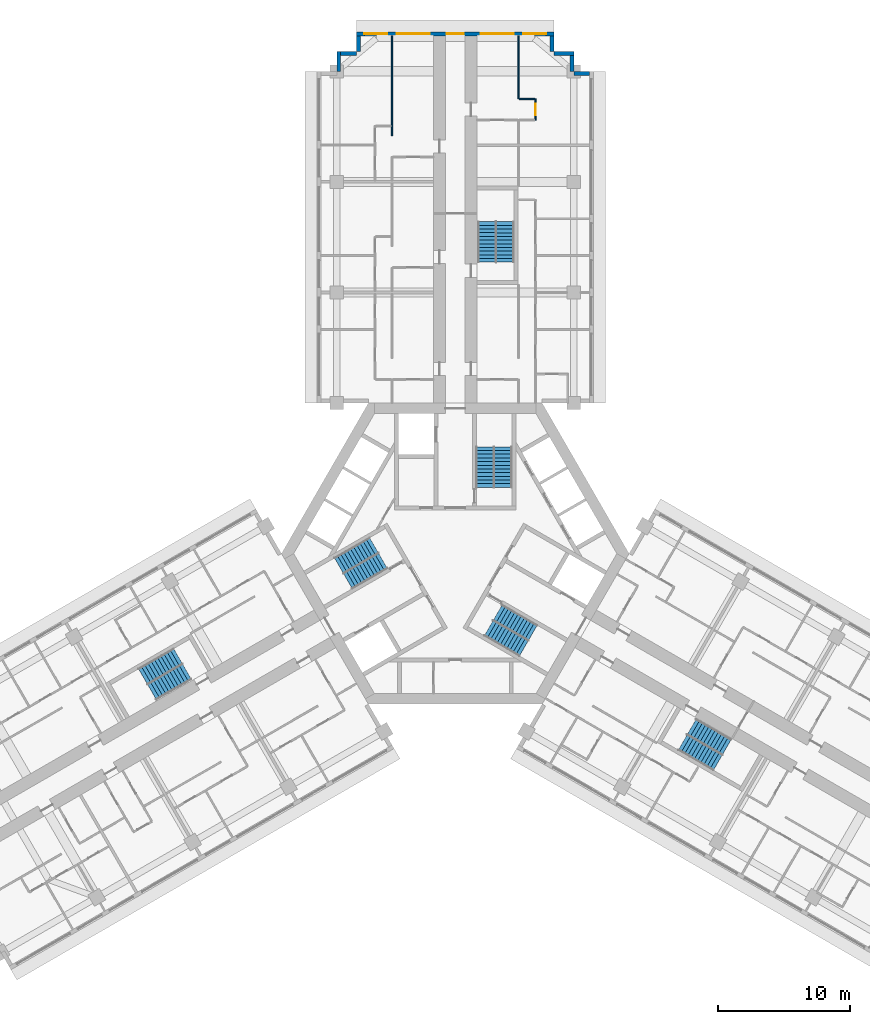
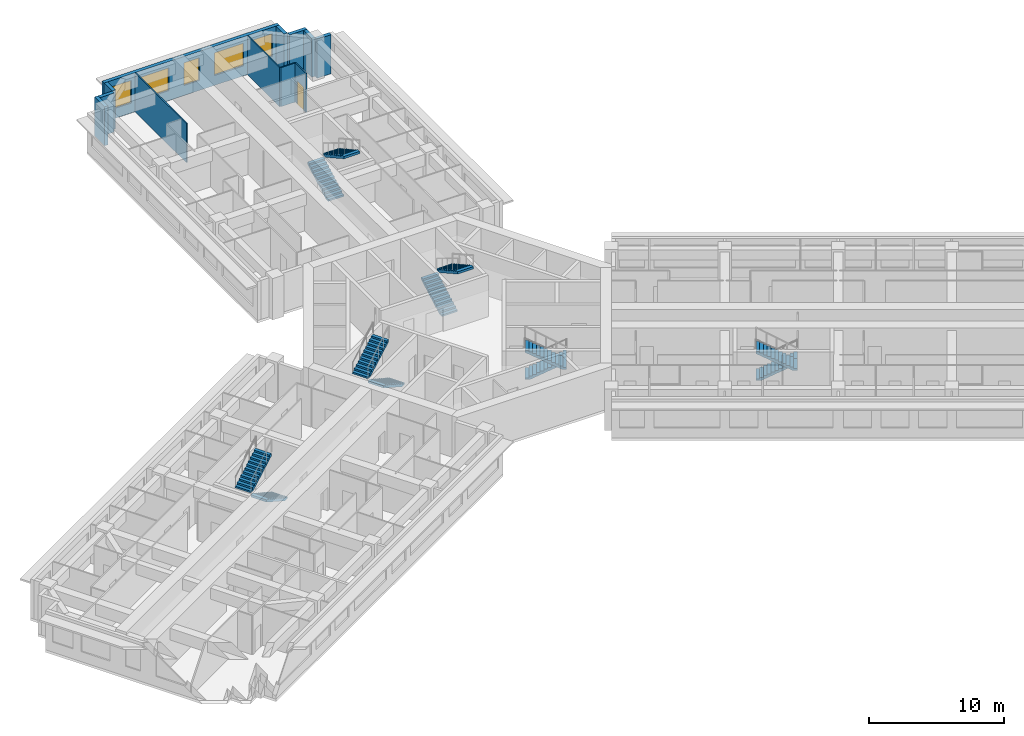
# One storey, part 13 of 14: 12 stair flights, 12 walls, 5 windows, 1 door, 6 openings, 6 elements without a shape of their own.
"""IFC4 building model written with IfcOpenShell, lengths in metres."""

from ifc_helpers import new_model, si_unit, direction, frame, frame_2d, origin, place, context, subcontext, project, spatial, polyline, rectangle, outline, extrude, material, layer, layer_set, type_object, element, fill, aggregate, save


model = new_model("IFC4")

# Units and contexts
model_context = context("Model", 3, precision=1e-05, world=origin(), true_north=direction((0.0, 1.0)))
body_context = subcontext(model_context, "Body", "Model", "MODEL_VIEW")
ifc_project = project(units=[si_unit("LENGTHUNIT", "METRE"), si_unit("AREAUNIT", "SQUARE_METRE"), si_unit("VOLUMEUNIT", "CUBIC_METRE"), si_unit("PLANEANGLEUNIT", "RADIAN"), si_unit("MASSUNIT", "GRAM", prefix="KILO")], contexts=[model_context])

# Site, building, storey
site_placement = place(None, origin())
site = spatial("IfcSite", under=ifc_project, at=site_placement, CompositionType="ELEMENT")
building_placement = place(site_placement, origin())
building = spatial("IfcBuilding", under=site, at=building_placement, Name="Impinga Residences", CompositionType="ELEMENT")
storey_placement = place(building_placement, frame((0.0, 0.0, 128.5)))
storey = spatial("IfcBuildingStorey", under=building, at=storey_placement, Name="L31", CompositionType="ELEMENT", Elevation=128.5)

# Walls
ifc_material_1 = material(Name="Terracotta rainscreen on blockwork", Category="masonry")
ifc_layer_1 = layer(ifc_material_1, 0.300048828125)
ifc_layer_set_1 = layer_set([ifc_layer_1], Name="EW1 external wall, terracotta rainscreen on blockwork 300")
wall_type_1 = type_object("IfcWallType", Name="EW1 external wall, terracotta rainscreen on blockwork 300", PredefinedType="SOLIDWALL", material=ifc_layer_set_1)
wall_1_placement = place(storey_placement, frame((-8.85009765625, 36.636474609375, 0.0), z_axis=(0.0, 0.0, 1.0), x_axis=(0.0, 1.0, 0.0)))
element("IfcWall", 1, at=wall_1_placement, inside=storey, type_object=wall_type_1, Name="External wall EW1 L31", PredefinedType="SOLIDWALL", context=body_context, shape_type="SweptSolid", body=[
    extrude(rectangle(XDim=1.4951171875, YDim=0.300048828125, at=frame_2d((0.74755859375, 0.0))), origin(), (0.0, 0.0, 1.0), 3.530029296875),
])
wall_2_placement = place(storey_placement, frame((-8.699951171875, 37.9814453125, 0.0), z_axis=(0.0, 0.0, 1.0), x_axis=(1.0, 0.0, 0.0)))
element("IfcWall", 2, at=wall_2_placement, inside=storey, type_object=wall_type_1, Name="External wall EW1 L31", PredefinedType="SOLIDWALL", context=body_context, shape_type="SweptSolid", body=[
    extrude(rectangle(XDim=1.199951171875, YDim=0.300048828125, at=frame_2d((0.60009765625, 0.0))), origin(), (0.0, 0.0, 1.0), 3.530029296875),
])
wall_3_placement = place(storey_placement, frame((-7.35009765625, 38.136474609375, 0.0), z_axis=(0.0, 0.0, 1.0), x_axis=(0.0, 1.0, 0.0)))
element("IfcWall", 3, at=wall_3_placement, inside=storey, type_object=wall_type_1, Name="External wall EW1 L31", PredefinedType="SOLIDWALL", context=body_context, shape_type="SweptSolid", body=[
    extrude(rectangle(XDim=1.195068359375, YDim=0.300048828125, at=frame_2d((0.59765625, 0.0))), origin(), (0.0, 0.0, 1.0), 3.530029296875),
])

# Wall, openings, windows
wall_4_placement = place(storey_placement, frame((-7.5, 39.4814453125, 0.0), z_axis=(0.0, 0.0, 1.0), x_axis=(1.0, 0.0, 0.0)))
wall_4 = element("IfcWall", 4, at=wall_4_placement, inside=storey, type_object=wall_type_1, Name="External wall EW1 L31", PredefinedType="SOLIDWALL", context=body_context, shape_type="SweptSolid", body=[
    extrude(rectangle(XDim=15.0, YDim=0.300048828125, at=frame_2d((7.5, 0.0))), origin(), (0.0, 0.0, 1.0), 3.530029296875),
])
opening_1_placement = place(wall_4_placement, frame((0.60009765625, 0.0, 0.89990234375)))
opening_1 = element("IfcOpeningElement", 5, at=opening_1_placement, cuts=wall_4, Name="Opening W1", PredefinedType="OPENING", context=body_context, shape_type="SweptSolid", body=[
    extrude(rectangle(XDim=1.75, YDim=2.050048828125, at=frame_2d((0.875, 1.02490234375))), frame((0.0, 0.159912109375, 0.0), z_axis=(0.0, -1.0, 0.0), x_axis=(1.0, 0.0, 0.0)), (0.0, 0.0, 1.0), 0.320068359375),
])
opening_2_placement = place(wall_4_placement, frame((3.050048828125, 0.0, 0.89990234375)))
opening_2 = element("IfcOpeningElement", 6, at=opening_2_placement, cuts=wall_4, Name="Opening W2", PredefinedType="OPENING", context=body_context, shape_type="SweptSolid", body=[
    extrude(rectangle(XDim=2.5, YDim=2.050048828125, at=frame_2d((1.25, 1.02490234375))), frame((0.0, 0.159912109375, 0.0), z_axis=(0.0, -1.0, 0.0), x_axis=(1.0, 0.0, 0.0)), (0.0, 0.0, 1.0), 0.320068359375),
])
opening_3_placement = place(wall_4_placement, frame((6.85009765625, 0.0, 0.89990234375)))
opening_3 = element("IfcOpeningElement", 7, at=opening_3_placement, cuts=wall_4, Name="Opening W17", PredefinedType="OPENING", context=body_context, shape_type="SweptSolid", body=[
    extrude(rectangle(XDim=1.300048828125, YDim=2.050048828125, at=frame_2d((0.64990234375, 1.02490234375))), frame((0.0, 0.159912109375, 0.0), z_axis=(0.0, -1.0, 0.0), x_axis=(1.0, 0.0, 0.0)), (0.0, 0.0, 1.0), 0.320068359375),
])
opening_4_placement = place(wall_4_placement, frame((9.449951171875, 0.0, 0.89990234375)))
opening_4 = element("IfcOpeningElement", 8, at=opening_4_placement, cuts=wall_4, Name="Opening W2", PredefinedType="OPENING", context=body_context, shape_type="SweptSolid", body=[
    extrude(rectangle(XDim=2.5, YDim=2.050048828125, at=frame_2d((1.25, 1.02490234375))), frame((0.0, 0.159912109375, 0.0), z_axis=(0.0, -1.0, 0.0), x_axis=(1.0, 0.0, 0.0)), (0.0, 0.0, 1.0), 0.320068359375),
])
opening_5_placement = place(wall_4_placement, frame((12.64990234375, 0.0, 0.89990234375)))
opening_5 = element("IfcOpeningElement", 9, at=opening_5_placement, cuts=wall_4, Name="Opening W1", PredefinedType="OPENING", context=body_context, shape_type="SweptSolid", body=[
    extrude(rectangle(XDim=1.75, YDim=2.050048828125, at=frame_2d((0.875, 1.02490234375))), frame((0.0, 0.159912109375, 0.0), z_axis=(0.0, -1.0, 0.0), x_axis=(1.0, 0.0, 0.0)), (0.0, 0.0, 1.0), 0.320068359375),
])
ifc_material_2 = material(Name="Aluminium window, clear double glazing", Category="aluminium")
window_type_1 = type_object("IfcWindowType", Name="W1 ribbon window 1750x2050", PartitioningType="SINGLE_PANEL", PredefinedType="WINDOW", material=ifc_material_2)
window_1_placement = place(opening_1_placement, origin())
window_1 = element("IfcWindow", 10, at=window_1_placement, inside=storey, type_object=window_type_1, Name="Window L31", OverallHeight=2.050048828125, OverallWidth=1.75, PartitioningType="SINGLE_PANEL", PredefinedType="WINDOW", context=body_context, shape_type="SweptSolid", body=[
    extrude(rectangle(XDim=1.75, YDim=2.050048828125, at=frame_2d((0.875, 1.02490234375))), frame((0.0, 0.030029296875, 0.0), z_axis=(0.0, -1.0, 0.0), x_axis=(1.0, 0.0, 0.0)), (0.0, 0.0, 1.0), 0.06005859375),
])
fill(opening_1, window_1)
window_2_placement = place(opening_5_placement, origin())
window_2 = element("IfcWindow", 11, at=window_2_placement, inside=storey, type_object=window_type_1, Name="Window L31", OverallHeight=2.050048828125, OverallWidth=1.75, PartitioningType="SINGLE_PANEL", PredefinedType="WINDOW", context=body_context, shape_type="SweptSolid", body=[
    extrude(rectangle(XDim=1.75, YDim=2.050048828125, at=frame_2d((0.875, 1.02490234375))), frame((0.0, 0.030029296875, 0.0), z_axis=(0.0, -1.0, 0.0), x_axis=(1.0, 0.0, 0.0)), (0.0, 0.0, 1.0), 0.06005859375),
])
fill(opening_5, window_2)
window_type_2 = type_object("IfcWindowType", Name="W17 ribbon window 1300x2050", PartitioningType="SINGLE_PANEL", PredefinedType="WINDOW", material=ifc_material_2)
window_3_placement = place(opening_3_placement, origin())
window_3 = element("IfcWindow", 12, at=window_3_placement, inside=storey, type_object=window_type_2, Name="Window L31", OverallHeight=2.050048828125, OverallWidth=1.300048828125, PartitioningType="SINGLE_PANEL", PredefinedType="WINDOW", context=body_context, shape_type="SweptSolid", body=[
    extrude(rectangle(XDim=1.300048828125, YDim=2.050048828125, at=frame_2d((0.64990234375, 1.02490234375))), frame((0.0, 0.030029296875, 0.0), z_axis=(0.0, -1.0, 0.0), x_axis=(1.0, 0.0, 0.0)), (0.0, 0.0, 1.0), 0.06005859375),
])
fill(opening_3, window_3)
window_type_3 = type_object("IfcWindowType", Name="W2 ribbon window 2500x2050", PartitioningType="SINGLE_PANEL", PredefinedType="WINDOW", material=ifc_material_2)
window_4_placement = place(opening_2_placement, origin())
window_4 = element("IfcWindow", 13, at=window_4_placement, inside=storey, type_object=window_type_3, Name="Window L31", OverallHeight=2.050048828125, OverallWidth=2.5, PartitioningType="SINGLE_PANEL", PredefinedType="WINDOW", context=body_context, shape_type="SweptSolid", body=[
    extrude(rectangle(XDim=2.5, YDim=2.050048828125, at=frame_2d((1.25, 1.02490234375))), frame((0.0, 0.030029296875, 0.0), z_axis=(0.0, -1.0, 0.0), x_axis=(1.0, 0.0, 0.0)), (0.0, 0.0, 1.0), 0.06005859375),
])
fill(opening_2, window_4)
window_5_placement = place(opening_4_placement, origin())
window_5 = element("IfcWindow", 14, at=window_5_placement, inside=storey, type_object=window_type_3, Name="Window L31", OverallHeight=2.050048828125, OverallWidth=2.5, PartitioningType="SINGLE_PANEL", PredefinedType="WINDOW", context=body_context, shape_type="SweptSolid", body=[
    extrude(rectangle(XDim=2.5, YDim=2.050048828125, at=frame_2d((1.25, 1.02490234375))), frame((0.0, 0.030029296875, 0.0), z_axis=(0.0, -1.0, 0.0), x_axis=(1.0, 0.0, 0.0)), (0.0, 0.0, 1.0), 0.06005859375),
])
fill(opening_4, window_5)

# Walls
wall_5_placement = place(storey_placement, frame((7.35009765625, 39.33154296875, 0.0), z_axis=(0.0, 0.0, 1.0), x_axis=(0.0, -1.0, 0.0)))
element("IfcWall", 15, at=wall_5_placement, inside=storey, type_object=wall_type_1, Name="External wall EW1 L31", PredefinedType="SOLIDWALL", context=body_context, shape_type="SweptSolid", body=[
    extrude(rectangle(XDim=1.195068359375, YDim=0.300048828125, at=frame_2d((0.59765625, 0.0))), origin(), (0.0, 0.0, 1.0), 3.530029296875),
])
wall_6_placement = place(storey_placement, frame((7.5, 37.9814453125, 0.0), z_axis=(0.0, 0.0, 1.0), x_axis=(1.0, 0.0, 0.0)))
element("IfcWall", 16, at=wall_6_placement, inside=storey, type_object=wall_type_1, Name="External wall EW1 L31", PredefinedType="SOLIDWALL", context=body_context, shape_type="SweptSolid", body=[
    extrude(rectangle(XDim=1.5, YDim=0.300048828125, at=frame_2d((0.75, 0.0))), origin(), (0.0, 0.0, 1.0), 3.530029296875),
])
wall_7_placement = place(storey_placement, frame((8.85009765625, 37.83154296875, 0.0), z_axis=(0.0, 0.0, 1.0), x_axis=(0.0, -1.0, 0.0)))
element("IfcWall", 17, at=wall_7_placement, inside=storey, type_object=wall_type_1, Name="External wall EW1 L31", PredefinedType="SOLIDWALL", context=body_context, shape_type="SweptSolid", body=[
    extrude(rectangle(XDim=1.199951171875, YDim=0.300048828125, at=frame_2d((0.60009765625, 0.0))), origin(), (0.0, 0.0, 1.0), 3.530029296875),
])
wall_8_placement = place(storey_placement, frame((9.0048828125, 36.4814453125, 0.0), z_axis=(0.0, 0.0, 1.0), x_axis=(1.0, 0.0, 0.0)))
element("IfcWall", 18, at=wall_8_placement, inside=storey, type_object=wall_type_1, Name="External wall EW1 L31", PredefinedType="SOLIDWALL", context=body_context, shape_type="SweptSolid", body=[
    extrude(rectangle(XDim=1.195068359375, YDim=0.300048828125, at=frame_2d((0.59765625, 0.0))), origin(), (0.0, 0.0, 1.0), 3.530029296875),
])
ifc_material_3 = material(Name="Gypsum board on steel studs", Category="steel")
ifc_layer_2 = layer(ifc_material_3, 0.10009765625)
ifc_layer_set_2 = layer_set([ifc_layer_2], Name="Gypsum board on steel studs")
wall_type_2 = type_object("IfcWallType", Name="IP1 partition 100", PredefinedType="PARTITIONING", material=ifc_layer_set_2)
wall_9_placement = place(storey_placement, frame((-4.800048828125, 31.7314453125, 0.0), z_axis=(0.0, 0.0, 1.0), x_axis=(0.0, 1.0, 0.0)))
element("IfcWall", 19, at=wall_9_placement, inside=storey, type_object=wall_type_2, Name="Partition L31-NA3:DIV1", PredefinedType="PARTITIONING", context=body_context, shape_type="SweptSolid", body=[
    extrude(rectangle(XDim=7.60009765625, YDim=0.10009765625, at=frame_2d((3.800048828125, 0.0))), origin(), (0.0, 0.0, 1.0), 3.530029296875),
])
wall_10_placement = place(storey_placement, frame((4.800048828125, 34.531494140625, 0.0), z_axis=(0.0, 0.0, 1.0), x_axis=(0.0, 1.0, 0.0)))
element("IfcWall", 20, at=wall_10_placement, inside=storey, type_object=wall_type_2, Name="Partition L31-NF2:DIV1", PredefinedType="PARTITIONING", context=body_context, shape_type="SweptSolid", body=[
    extrude(rectangle(XDim=4.800048828125, YDim=0.10009765625, at=frame_2d((2.39990234375, 0.0))), origin(), (0.0, 0.0, 1.0), 3.530029296875),
])

# Wall, opening, door
wall_11_placement = place(storey_placement, frame((6.10009765625, 32.931640625, 0.0), z_axis=(0.0, 0.0, 1.0), x_axis=(0.0, 1.0, 0.0)))
wall_11 = element("IfcWall", 21, at=wall_11_placement, inside=storey, type_object=wall_type_2, Name="Partition L31-NF2:STRIP", PredefinedType="PARTITIONING", context=body_context, shape_type="SweptSolid", body=[
    extrude(rectangle(XDim=1.599853515625, YDim=0.10009765625, at=frame_2d((0.7998046875, 0.0))), origin(), (0.0, 0.0, 1.0), 3.530029296875),
])
opening_6_placement = place(wall_11_placement, frame((0.35009765625, 0.0, 0.0)))
opening_6 = element("IfcOpeningElement", 22, at=opening_6_placement, cuts=wall_11, Name="Opening D2", PredefinedType="OPENING", context=body_context, shape_type="SweptSolid", body=[
    extrude(rectangle(XDim=0.89990234375, YDim=2.10009765625, at=frame_2d((0.449951171875, 1.050048828125))), frame((0.0, 0.06005859375, 0.0), z_axis=(0.0, -1.0, 0.0), x_axis=(1.0, 0.0, 0.0)), (0.0, 0.0, 1.0), 0.1201171875),
])
ifc_material_4 = material(Name="Timber door set", Category="wood")
door_type = type_object("IfcDoorType", Name="D2 internal door 900x2100", OperationType="SINGLE_SWING_LEFT", PredefinedType="DOOR", material=ifc_material_4)
door_placement = place(opening_6_placement, origin())
door = element("IfcDoor", 23, at=door_placement, inside=storey, type_object=door_type, Name="Apartment L31-NF2 room door", OperationType="SINGLE_SWING_LEFT", OverallHeight=2.10009765625, OverallWidth=0.89990234375, PredefinedType="DOOR", context=body_context, shape_type="SweptSolid", body=[
    extrude(rectangle(XDim=0.89990234375, YDim=2.10009765625, at=frame_2d((0.449951171875, 1.050048828125))), frame((0.0, 0.02490234375, 0.0), z_axis=(0.0, -1.0, 0.0), x_axis=(1.0, 0.0, 0.0)), (0.0, 0.0, 1.0), 0.050048828125),
])
fill(opening_6, door)

# Wall
wall_12_placement = place(storey_placement, frame((4.85009765625, 34.531494140625, 0.0), z_axis=(0.0, 0.0, 1.0), x_axis=(1.0, 0.0, 0.0)))
element("IfcWall", 24, at=wall_12_placement, inside=storey, type_object=wall_type_2, Name="Partition L31-NF2:SE1", PredefinedType="PARTITIONING", context=body_context, shape_type="SweptSolid", body=[
    extrude(rectangle(XDim=1.199951171875, YDim=0.10009765625, at=frame_2d((0.60009765625, 0.0))), origin(), (0.0, 0.0, 1.0), 3.530029296875),
])

# Stair, stair flights
ifc_material_5 = material(Name="Concrete C40/50", Category="concrete")
stair_type_1 = type_object("IfcStairType", Name="STR core stair 3750 storey, 24 risers", PredefinedType="HALF_TURN_STAIR", material=ifc_material_5)
stair_1_placement = place(storey_placement, origin())
stair_1 = element("IfcStair", 25, at=stair_1_placement, inside=storey, type_object=stair_type_1, Name="Stair ST1 L31", PredefinedType="HALF_TURN_STAIR")
stair_flight_type = type_object("IfcStairFlightType", Name="SF 12 risers of 156", PredefinedType="STRAIGHT", material=ifc_material_5)
stair_flight_1_placement = place(storey_placement, frame((2.27490234375, 5.030029296875, 0.0), z_axis=(0.0, 0.0, 1.0), x_axis=(0.0, 1.0, 0.0)))
stair_flight_1 = element("IfcStairFlight", 26, at=stair_flight_1_placement, type_object=stair_flight_type, Name="ST1 flight 1", NumberOfRisers=12, NumberOfTreads=11, PredefinedType="STRAIGHT", RiserHeight=0.15625, TreadLength=0.28, context=body_context, shape_type="SweptSolid", body=[
    extrude(outline(polyline([(0.0, 0.0), (0.0, 0.15625), (0.280029296875, 0.15625), (0.280029296875, 0.3125), (0.56005859375, 0.3125), (0.56005859375, 0.46875), (0.840087890625, 0.46875), (0.840087890625, 0.625), (1.1201171875, 0.625), (1.1201171875, 0.78125), (1.39990234375, 0.78125), (1.39990234375, 0.9375), (1.679931640625, 0.9375), (1.679931640625, 1.09375), (1.9599609375, 1.09375), (1.9599609375, 1.25), (2.239990234375, 1.25), (2.239990234375, 1.40625), (2.52001953125, 1.40625), (2.52001953125, 1.5625), (2.800048828125, 1.5625), (2.800048828125, 1.71875), (3.080078125, 1.71875), (3.080078125, 1.875), (3.080078125, 1.5126953125), (0.369140625, 0.0), (0.0, 0.0)])), frame((0.0, 0.675048828125, 0.0), z_axis=(0.0, -1.0, 0.0), x_axis=(1.0, 0.0, 0.0)), (0.0, 0.0, 1.0), 1.35009765625),
])
stair_flight_2_placement = place(storey_placement, frame((3.625, 8.110107421875, 1.875), z_axis=(0.0, 0.0, 1.0), x_axis=(0.0, -1.0, 0.0)))
stair_flight_2 = element("IfcStairFlight", 27, at=stair_flight_2_placement, type_object=stair_flight_type, Name="ST1 flight 2", NumberOfRisers=12, NumberOfTreads=11, PredefinedType="STRAIGHT", RiserHeight=0.15625, TreadLength=0.28, context=body_context, shape_type="SweptSolid", body=[
    extrude(outline(polyline([(0.0, 0.0), (0.0, 0.15625), (0.280029296875, 0.15625), (0.280029296875, 0.3125), (0.56005859375, 0.3125), (0.56005859375, 0.46875), (0.840087890625, 0.46875), (0.840087890625, 0.625), (1.1201171875, 0.625), (1.1201171875, 0.78125), (1.39990234375, 0.78125), (1.39990234375, 0.9375), (1.679931640625, 0.9375), (1.679931640625, 1.09375), (1.9599609375, 1.09375), (1.9599609375, 1.25), (2.239990234375, 1.25), (2.239990234375, 1.40625), (2.52001953125, 1.40625), (2.52001953125, 1.5625), (2.800048828125, 1.5625), (2.800048828125, 1.71875), (3.080078125, 1.71875), (3.080078125, 1.875), (3.080078125, 1.5126953125), (0.369140625, 0.0), (0.0, 0.0)])), frame((0.0, 0.675048828125, 0.0), z_axis=(0.0, -1.0, 0.0), x_axis=(1.0, 0.0, 0.0)), (0.0, 0.0, 1.0), 1.35009765625),
])
aggregate(stair_1, [stair_flight_1, stair_flight_2])

stair_2_placement = place(storey_placement, origin())
stair_2 = element("IfcStair", 28, at=stair_2_placement, inside=storey, type_object=stair_type_1, Name="Stair ST2 L31", PredefinedType="HALF_TURN_STAIR")
stair_flight_3_placement = place(storey_placement, frame((-5.49365234375, -0.544677734375, 0.0), z_axis=(0.0, 0.0, 1.0), x_axis=(-0.866025403784, -0.5, 0.0)))
stair_flight_3 = element("IfcStairFlight", 29, at=stair_flight_3_placement, type_object=stair_flight_type, Name="ST2 flight 1", NumberOfRisers=12, NumberOfTreads=11, PredefinedType="STRAIGHT", RiserHeight=0.15625, TreadLength=0.28, context=body_context, shape_type="SweptSolid", body=[
    extrude(outline(polyline([(0.0, 0.0), (0.0, 0.15625), (0.280029296875, 0.15625), (0.280029296875, 0.3125), (0.56005859375, 0.3125), (0.56005859375, 0.46875), (0.840087890625, 0.46875), (0.840087890625, 0.625), (1.1201171875, 0.625), (1.1201171875, 0.78125), (1.39990234375, 0.78125), (1.39990234375, 0.9375), (1.679931640625, 0.9375), (1.679931640625, 1.09375), (1.9599609375, 1.09375), (1.9599609375, 1.25), (2.239990234375, 1.25), (2.239990234375, 1.40625), (2.52001953125, 1.40625), (2.52001953125, 1.5625), (2.800048828125, 1.5625), (2.800048828125, 1.71875), (3.080078125, 1.71875), (3.080078125, 1.875), (3.080078125, 1.5126953125), (0.369140625, 0.0), (0.0, 0.0)])), frame((0.0, 0.675048828125, 0.0), z_axis=(0.0, -1.0, 0.0), x_axis=(1.0, 0.0, 0.0)), (0.0, 0.0, 1.0), 1.35009765625),
])
stair_flight_4_placement = place(storey_placement, frame((-8.8359375, -0.915771484375, 1.875), z_axis=(0.0, 0.0, 1.0), x_axis=(0.866025403784, 0.5, 0.0)))
stair_flight_4 = element("IfcStairFlight", 30, at=stair_flight_4_placement, type_object=stair_flight_type, Name="ST2 flight 2", NumberOfRisers=12, NumberOfTreads=11, PredefinedType="STRAIGHT", RiserHeight=0.15625, TreadLength=0.28, context=body_context, shape_type="SweptSolid", body=[
    extrude(outline(polyline([(0.0, 0.0), (0.0, 0.15625), (0.280029296875, 0.15625), (0.280029296875, 0.3125), (0.56005859375, 0.3125), (0.56005859375, 0.46875), (0.840087890625, 0.46875), (0.840087890625, 0.625), (1.1201171875, 0.625), (1.1201171875, 0.78125), (1.39990234375, 0.78125), (1.39990234375, 0.9375), (1.679931640625, 0.9375), (1.679931640625, 1.09375), (1.9599609375, 1.09375), (1.9599609375, 1.25), (2.239990234375, 1.25), (2.239990234375, 1.40625), (2.52001953125, 1.40625), (2.52001953125, 1.5625), (2.800048828125, 1.5625), (2.800048828125, 1.71875), (3.080078125, 1.71875), (3.080078125, 1.875), (3.080078125, 1.5126953125), (0.369140625, 0.0), (0.0, 0.0)])), frame((0.0, 0.675048828125, 0.0), z_axis=(0.0, -1.0, 0.0), x_axis=(1.0, 0.0, 0.0)), (0.0, 0.0, 1.0), 1.35009765625),
])
aggregate(stair_2, [stair_flight_3, stair_flight_4])

stair_3_placement = place(storey_placement, origin())
stair_3 = element("IfcStair", 31, at=stair_3_placement, inside=storey, type_object=stair_type_1, Name="Stair ST3 L31", PredefinedType="HALF_TURN_STAIR")
stair_flight_5_placement = place(storey_placement, frame((3.218505859375, -4.485107421875, 0.0), z_axis=(0.0, 0.0, 1.0), x_axis=(0.866025403784, -0.5, 0.0)))
stair_flight_5 = element("IfcStairFlight", 32, at=stair_flight_5_placement, type_object=stair_flight_type, Name="ST3 flight 1", NumberOfRisers=12, NumberOfTreads=11, PredefinedType="STRAIGHT", RiserHeight=0.15625, TreadLength=0.28, context=body_context, shape_type="SweptSolid", body=[
    extrude(outline(polyline([(0.0, 0.0), (0.0, 0.15625), (0.280029296875, 0.15625), (0.280029296875, 0.3125), (0.56005859375, 0.3125), (0.56005859375, 0.46875), (0.840087890625, 0.46875), (0.840087890625, 0.625), (1.1201171875, 0.625), (1.1201171875, 0.78125), (1.39990234375, 0.78125), (1.39990234375, 0.9375), (1.679931640625, 0.9375), (1.679931640625, 1.09375), (1.9599609375, 1.09375), (1.9599609375, 1.25), (2.239990234375, 1.25), (2.239990234375, 1.40625), (2.52001953125, 1.40625), (2.52001953125, 1.5625), (2.800048828125, 1.5625), (2.800048828125, 1.71875), (3.080078125, 1.71875), (3.080078125, 1.875), (3.080078125, 1.5126953125), (0.369140625, 0.0), (0.0, 0.0)])), frame((0.0, 0.675048828125, 0.0), z_axis=(0.0, -1.0, 0.0), x_axis=(1.0, 0.0, 0.0)), (0.0, 0.0, 1.0), 1.35009765625),
])
stair_flight_6_placement = place(storey_placement, frame((5.2109375, -7.1943359375, 1.875), z_axis=(0.0, 0.0, 1.0), x_axis=(-0.866025403784, 0.5, 0.0)))
stair_flight_6 = element("IfcStairFlight", 33, at=stair_flight_6_placement, type_object=stair_flight_type, Name="ST3 flight 2", NumberOfRisers=12, NumberOfTreads=11, PredefinedType="STRAIGHT", RiserHeight=0.15625, TreadLength=0.28, context=body_context, shape_type="SweptSolid", body=[
    extrude(outline(polyline([(0.0, 0.0), (0.0, 0.15625), (0.280029296875, 0.15625), (0.280029296875, 0.3125), (0.56005859375, 0.3125), (0.56005859375, 0.46875), (0.840087890625, 0.46875), (0.840087890625, 0.625), (1.1201171875, 0.625), (1.1201171875, 0.78125), (1.39990234375, 0.78125), (1.39990234375, 0.9375), (1.679931640625, 0.9375), (1.679931640625, 1.09375), (1.9599609375, 1.09375), (1.9599609375, 1.25), (2.239990234375, 1.25), (2.239990234375, 1.40625), (2.52001953125, 1.40625), (2.52001953125, 1.5625), (2.800048828125, 1.5625), (2.800048828125, 1.71875), (3.080078125, 1.71875), (3.080078125, 1.875), (3.080078125, 1.5126953125), (0.369140625, 0.0), (0.0, 0.0)])), frame((0.0, 0.675048828125, 0.0), z_axis=(0.0, -1.0, 0.0), x_axis=(1.0, 0.0, 0.0)), (0.0, 0.0, 1.0), 1.35009765625),
])
aggregate(stair_3, [stair_flight_5, stair_flight_6])

stair_type_2 = type_object("IfcStairType", Name="STR wing stair 3750 storey, 24 risers", PredefinedType="HALF_TURN_STAIR", material=ifc_material_5)
stair_4_placement = place(storey_placement, origin())
stair_4 = element("IfcStair", 34, at=stair_4_placement, inside=storey, type_object=stair_type_2, Name="Stair WS1 L31", PredefinedType="HALF_TURN_STAIR")
stair_flight_7_placement = place(storey_placement, frame((2.425048828125, 22.131591796875, 0.0), z_axis=(0.0, 0.0, 1.0), x_axis=(0.0, 1.0, 0.0)))
stair_flight_7 = element("IfcStairFlight", 35, at=stair_flight_7_placement, type_object=stair_flight_type, Name="WS1 flight 1", NumberOfRisers=12, NumberOfTreads=11, PredefinedType="STRAIGHT", RiserHeight=0.15625, TreadLength=0.28, context=body_context, shape_type="SweptSolid", body=[
    extrude(outline(polyline([(0.0, 0.0), (0.0, 0.15625), (0.280029296875, 0.15625), (0.280029296875, 0.3125), (0.56005859375, 0.3125), (0.56005859375, 0.46875), (0.840087890625, 0.46875), (0.840087890625, 0.625), (1.1201171875, 0.625), (1.1201171875, 0.78125), (1.39990234375, 0.78125), (1.39990234375, 0.9375), (1.679931640625, 0.9375), (1.679931640625, 1.09375), (1.9599609375, 1.09375), (1.9599609375, 1.25), (2.239990234375, 1.25), (2.239990234375, 1.40625), (2.52001953125, 1.40625), (2.52001953125, 1.5625), (2.800048828125, 1.5625), (2.800048828125, 1.71875), (3.080078125, 1.71875), (3.080078125, 1.875), (3.080078125, 1.5126953125), (0.369140625, 0.0), (0.0, 0.0)])), frame((0.0, 0.675048828125, 0.0), z_axis=(0.0, -1.0, 0.0), x_axis=(1.0, 0.0, 0.0)), (0.0, 0.0, 1.0), 1.35009765625),
])
stair_flight_8_placement = place(storey_placement, frame((3.77490234375, 25.21142578125, 1.875), z_axis=(0.0, 0.0, 1.0), x_axis=(0.0, -1.0, 0.0)))
stair_flight_8 = element("IfcStairFlight", 36, at=stair_flight_8_placement, type_object=stair_flight_type, Name="WS1 flight 2", NumberOfRisers=12, NumberOfTreads=11, PredefinedType="STRAIGHT", RiserHeight=0.15625, TreadLength=0.28, context=body_context, shape_type="SweptSolid", body=[
    extrude(outline(polyline([(0.0, 0.0), (0.0, 0.15625), (0.280029296875, 0.15625), (0.280029296875, 0.3125), (0.56005859375, 0.3125), (0.56005859375, 0.46875), (0.840087890625, 0.46875), (0.840087890625, 0.625), (1.1201171875, 0.625), (1.1201171875, 0.78125), (1.39990234375, 0.78125), (1.39990234375, 0.9375), (1.679931640625, 0.9375), (1.679931640625, 1.09375), (1.9599609375, 1.09375), (1.9599609375, 1.25), (2.239990234375, 1.25), (2.239990234375, 1.40625), (2.52001953125, 1.40625), (2.52001953125, 1.5625), (2.800048828125, 1.5625), (2.800048828125, 1.71875), (3.080078125, 1.71875), (3.080078125, 1.875), (3.080078125, 1.5126953125), (0.369140625, 0.0), (0.0, 0.0)])), frame((0.0, 0.675048828125, 0.0), z_axis=(0.0, -1.0, 0.0), x_axis=(1.0, 0.0, 0.0)), (0.0, 0.0, 1.0), 1.35009765625),
])
aggregate(stair_4, [stair_flight_7, stair_flight_8])

stair_5_placement = place(storey_placement, origin())
stair_5 = element("IfcStair", 37, at=stair_5_placement, inside=storey, type_object=stair_type_2, Name="Stair WS2 L31", PredefinedType="HALF_TURN_STAIR")
stair_flight_9_placement = place(storey_placement, frame((-20.37890625, -8.965576171875, 0.0), z_axis=(0.0, 0.0, 1.0), x_axis=(-0.866025403784, -0.5, 0.0)))
stair_flight_9 = element("IfcStairFlight", 38, at=stair_flight_9_placement, type_object=stair_flight_type, Name="WS2 flight 1", NumberOfRisers=12, NumberOfTreads=11, PredefinedType="STRAIGHT", RiserHeight=0.15625, TreadLength=0.28, context=body_context, shape_type="SweptSolid", body=[
    extrude(outline(polyline([(0.0, 0.0), (0.0, 0.15625), (0.280029296875, 0.15625), (0.280029296875, 0.3125), (0.56005859375, 0.3125), (0.56005859375, 0.46875), (0.840087890625, 0.46875), (0.840087890625, 0.625), (1.1201171875, 0.625), (1.1201171875, 0.78125), (1.39990234375, 0.78125), (1.39990234375, 0.9375), (1.679931640625, 0.9375), (1.679931640625, 1.09375), (1.9599609375, 1.09375), (1.9599609375, 1.25), (2.239990234375, 1.25), (2.239990234375, 1.40625), (2.52001953125, 1.40625), (2.52001953125, 1.5625), (2.800048828125, 1.5625), (2.800048828125, 1.71875), (3.080078125, 1.71875), (3.080078125, 1.875), (3.080078125, 1.5126953125), (0.369140625, 0.0), (0.0, 0.0)])), frame((0.0, 0.675048828125, 0.0), z_axis=(0.0, -1.0, 0.0), x_axis=(1.0, 0.0, 0.0)), (0.0, 0.0, 1.0), 1.35009765625),
])
stair_flight_10_placement = place(storey_placement, frame((-23.721435546875, -9.33642578125, 1.875), z_axis=(0.0, 0.0, 1.0), x_axis=(0.866025403784, 0.5, 0.0)))
stair_flight_10 = element("IfcStairFlight", 39, at=stair_flight_10_placement, type_object=stair_flight_type, Name="WS2 flight 2", NumberOfRisers=12, NumberOfTreads=11, PredefinedType="STRAIGHT", RiserHeight=0.15625, TreadLength=0.28, context=body_context, shape_type="SweptSolid", body=[
    extrude(outline(polyline([(0.0, 0.0), (0.0, 0.15625), (0.280029296875, 0.15625), (0.280029296875, 0.3125), (0.56005859375, 0.3125), (0.56005859375, 0.46875), (0.840087890625, 0.46875), (0.840087890625, 0.625), (1.1201171875, 0.625), (1.1201171875, 0.78125), (1.39990234375, 0.78125), (1.39990234375, 0.9375), (1.679931640625, 0.9375), (1.679931640625, 1.09375), (1.9599609375, 1.09375), (1.9599609375, 1.25), (2.239990234375, 1.25), (2.239990234375, 1.40625), (2.52001953125, 1.40625), (2.52001953125, 1.5625), (2.800048828125, 1.5625), (2.800048828125, 1.71875), (3.080078125, 1.71875), (3.080078125, 1.875), (3.080078125, 1.5126953125), (0.369140625, 0.0), (0.0, 0.0)])), frame((0.0, 0.675048828125, 0.0), z_axis=(0.0, -1.0, 0.0), x_axis=(1.0, 0.0, 0.0)), (0.0, 0.0, 1.0), 1.35009765625),
])
aggregate(stair_5, [stair_flight_9, stair_flight_10])

stair_6_placement = place(storey_placement, origin())
stair_6 = element("IfcStair", 40, at=stair_6_placement, inside=storey, type_object=stair_type_2, Name="Stair WS3 L31", PredefinedType="HALF_TURN_STAIR")
stair_flight_11_placement = place(storey_placement, frame((17.953857421875, -13.165771484375, 0.0), z_axis=(0.0, 0.0, 1.0), x_axis=(0.866025403784, -0.5, 0.0)))
stair_flight_11 = element("IfcStairFlight", 41, at=stair_flight_11_placement, type_object=stair_flight_type, Name="WS3 flight 1", NumberOfRisers=12, NumberOfTreads=11, PredefinedType="STRAIGHT", RiserHeight=0.15625, TreadLength=0.28, context=body_context, shape_type="SweptSolid", body=[
    extrude(outline(polyline([(0.0, 0.0), (0.0, 0.15625), (0.280029296875, 0.15625), (0.280029296875, 0.3125), (0.56005859375, 0.3125), (0.56005859375, 0.46875), (0.840087890625, 0.46875), (0.840087890625, 0.625), (1.1201171875, 0.625), (1.1201171875, 0.78125), (1.39990234375, 0.78125), (1.39990234375, 0.9375), (1.679931640625, 0.9375), (1.679931640625, 1.09375), (1.9599609375, 1.09375), (1.9599609375, 1.25), (2.239990234375, 1.25), (2.239990234375, 1.40625), (2.52001953125, 1.40625), (2.52001953125, 1.5625), (2.800048828125, 1.5625), (2.800048828125, 1.71875), (3.080078125, 1.71875), (3.080078125, 1.875), (3.080078125, 1.5126953125), (0.369140625, 0.0), (0.0, 0.0)])), frame((0.0, 0.675048828125, 0.0), z_axis=(0.0, -1.0, 0.0), x_axis=(1.0, 0.0, 0.0)), (0.0, 0.0, 1.0), 1.35009765625),
])
stair_flight_12_placement = place(storey_placement, frame((19.9462890625, -15.875, 1.875), z_axis=(0.0, 0.0, 1.0), x_axis=(-0.866025403784, 0.5, 0.0)))
stair_flight_12 = element("IfcStairFlight", 42, at=stair_flight_12_placement, type_object=stair_flight_type, Name="WS3 flight 2", NumberOfRisers=12, NumberOfTreads=11, PredefinedType="STRAIGHT", RiserHeight=0.15625, TreadLength=0.28, context=body_context, shape_type="SweptSolid", body=[
    extrude(outline(polyline([(0.0, 0.0), (0.0, 0.15625), (0.280029296875, 0.15625), (0.280029296875, 0.3125), (0.56005859375, 0.3125), (0.56005859375, 0.46875), (0.840087890625, 0.46875), (0.840087890625, 0.625), (1.1201171875, 0.625), (1.1201171875, 0.78125), (1.39990234375, 0.78125), (1.39990234375, 0.9375), (1.679931640625, 0.9375), (1.679931640625, 1.09375), (1.9599609375, 1.09375), (1.9599609375, 1.25), (2.239990234375, 1.25), (2.239990234375, 1.40625), (2.52001953125, 1.40625), (2.52001953125, 1.5625), (2.800048828125, 1.5625), (2.800048828125, 1.71875), (3.080078125, 1.71875), (3.080078125, 1.875), (3.080078125, 1.5126953125), (0.369140625, 0.0), (0.0, 0.0)])), frame((0.0, 0.675048828125, 0.0), z_axis=(0.0, -1.0, 0.0), x_axis=(1.0, 0.0, 0.0)), (0.0, 0.0, 1.0), 1.35009765625),
])
aggregate(stair_6, [stair_flight_11, stair_flight_12])

save(model, "model.ifc")
